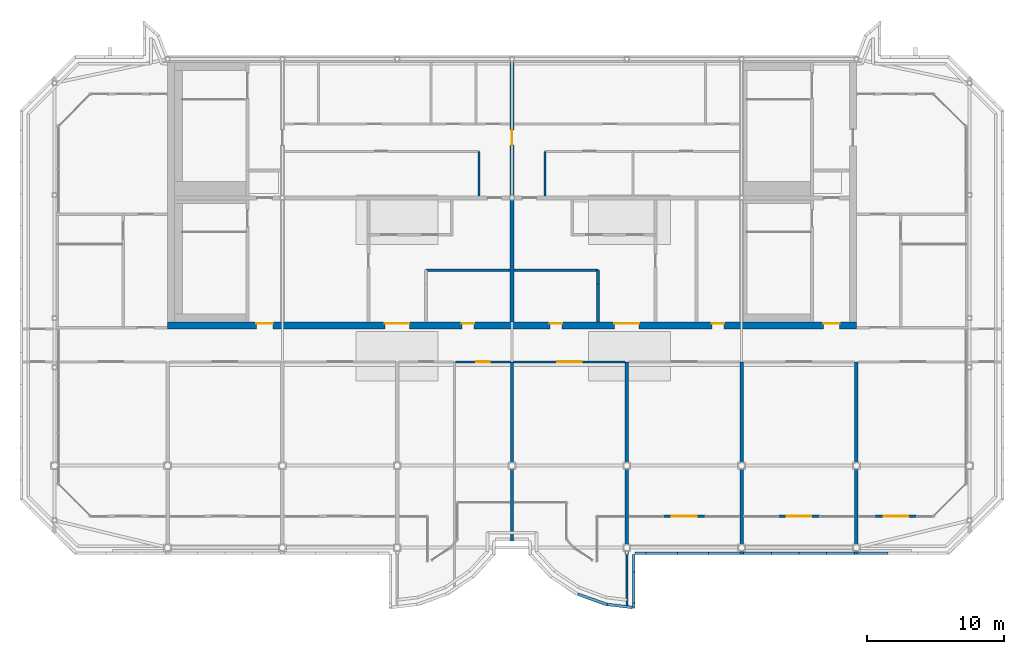
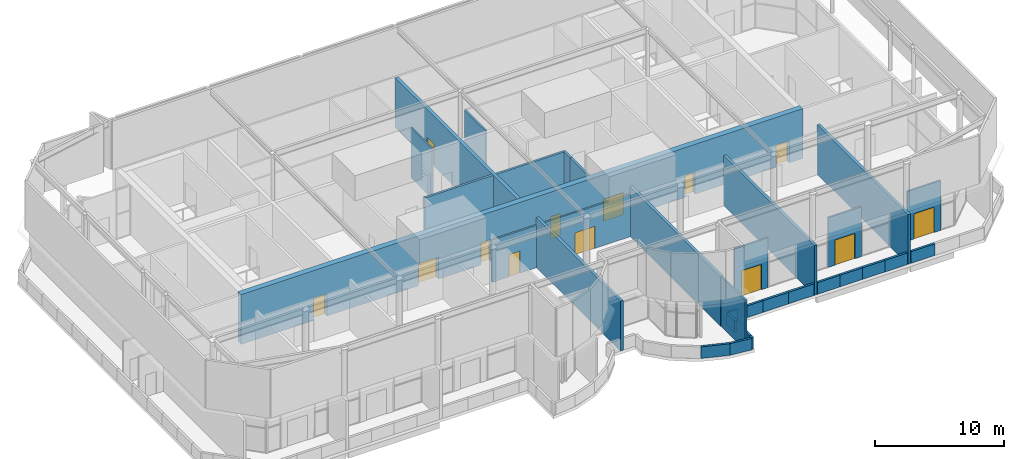
# One storey, part 20 of 25: 32 walls, 13 doors, 13 openings.
"""IFC4 building model written with IfcOpenShell, lengths in metres."""

from ifc_helpers import new_model, si_unit, direction, frame, frame_2d, origin, place, context, subcontext, project, spatial, rectangle, extrude, source, transform, mapped, material, layer, layer_set, type_object, element, fill, save


model = new_model("IFC4")

# Units and contexts
model_context = context("Model", 3, precision=1e-05, world=origin(), true_north=direction((0.0, 1.0)))
body_context = subcontext(model_context, "Body", "Model", "MODEL_VIEW")
ifc_project = project(units=[si_unit("LENGTHUNIT", "METRE"), si_unit("AREAUNIT", "SQUARE_METRE"), si_unit("VOLUMEUNIT", "CUBIC_METRE"), si_unit("PLANEANGLEUNIT", "RADIAN"), si_unit("MASSUNIT", "GRAM", prefix="KILO")], contexts=[model_context])

# Site, building, storey
site_placement = place(None, origin())
site = spatial("IfcSite", under=ifc_project, at=site_placement, CompositionType="ELEMENT")
building_placement = place(site_placement, origin())
building = spatial("IfcBuilding", under=site, at=building_placement, Name="Vanashikhar Sky Hotel", CompositionType="ELEMENT")
storey_placement = place(building_placement, frame((0.0, 0.0, 329.699951171875)))
storey = spatial("IfcBuildingStorey", under=building, at=storey_placement, Name="L78", CompositionType="ELEMENT", Elevation=329.699951171875)

# Wall, openings, doors
ifc_material_1 = material(Name="Concrete M50", Category="concrete")
ifc_layer_1 = layer(ifc_material_1, 0.5)
ifc_layer_set_1 = layer_set([ifc_layer_1], Name="RC core shell wall 500 Concrete M50")
wall_type_1 = type_object("IfcWallType", Name="RC core shell wall 500 Concrete M50", PredefinedType="SHEAR", material=ifc_layer_set_1)
shared_shape_1 = source(origin(), body_context, "Body", "SweptSolid", [
    extrude(rectangle(XDim=50.400146484375, YDim=0.5, at=frame_2d((25.2001953125, 0.0))), origin(), (0.0, 0.0, 1.0), 4.719970703125),
])
wall_1_placement = place(storey_placement, frame((25.199951171875, 22.25, 0.0), z_axis=(0.0, 0.0, 1.0), x_axis=(1.0, 0.0, 0.0)))
wall_1 = element("IfcWall", 1, at=wall_1_placement, inside=storey, type_object=wall_type_1, Name="KW-L78-KS", PredefinedType="SHEAR", context=body_context, shape_type="MappedRepresentation", body=[
    mapped(shared_shape_1, transform((0.0, 0.0, 0.0), scale=1.0)),
])
shared_shape_2 = source(origin(), body_context, "Body", "SweptSolid", [
    extrude(rectangle(XDim=1.800048828125, YDim=2.10009765625, at=frame_2d((0.89990234375, 1.050048828125))), frame((0.0, 0.260009765625, 0.0), z_axis=(0.0, -1.0, 0.0), x_axis=(1.0, 0.0, 0.0)), (0.0, 0.0, 1.0), 0.52001953125),
])
opening_1_placement = place(wall_1_placement, frame((15.89990234375, 0.0, 0.0)))
opening_1 = element("IfcOpeningElement", 2, at=opening_1_placement, cuts=wall_1, Name="Opening DC-3-A", PredefinedType="OPENING", context=body_context, shape_type="MappedRepresentation", body=[
    mapped(shared_shape_2, transform((0.0, 0.0, 0.0), scale=1.0)),
])
shared_shape_3 = source(origin(), body_context, "Body", "SweptSolid", [
    extrude(rectangle(XDim=0.89990234375, YDim=2.10009765625, at=frame_2d((0.449951171875, 1.050048828125))), frame((0.0, 0.260009765625, 0.0), z_axis=(0.0, -1.0, 0.0), x_axis=(1.0, 0.0, 0.0)), (0.0, 0.0, 1.0), 0.52001953125),
])
opening_2_placement = place(wall_1_placement, frame((21.52490234375, 0.0, 0.0)))
opening_2 = element("IfcOpeningElement", 3, at=opening_2_placement, cuts=wall_1, Name="Opening DC-4-A", PredefinedType="OPENING", context=body_context, shape_type="MappedRepresentation", body=[
    mapped(shared_shape_3, transform((0.0, 0.0, 0.0), scale=1.0)),
])
opening_3_placement = place(wall_1_placement, frame((32.699951171875, 0.0, 0.0)))
opening_3 = element("IfcOpeningElement", 4, at=opening_3_placement, cuts=wall_1, Name="Opening DC-3-A", PredefinedType="OPENING", context=body_context, shape_type="MappedRepresentation", body=[
    mapped(shared_shape_2, transform((0.0, 0.0, 0.0), scale=1.0)),
])
opening_4_placement = place(wall_1_placement, frame((39.824951171875, 0.0, 0.0)))
opening_4 = element("IfcOpeningElement", 5, at=opening_4_placement, cuts=wall_1, Name="Opening DC-4-A", PredefinedType="OPENING", context=body_context, shape_type="MappedRepresentation", body=[
    mapped(shared_shape_3, transform((0.0, 0.0, 0.0), scale=1.0)),
])
opening_5_placement = place(wall_1_placement, frame((27.97509765625, 0.0, 0.0)))
opening_5 = element("IfcOpeningElement", 6, at=opening_5_placement, cuts=wall_1, Name="Opening DC-4-A", PredefinedType="OPENING", context=body_context, shape_type="MappedRepresentation", body=[
    mapped(shared_shape_3, transform((0.0, 0.0, 0.0), scale=1.0)),
])
shared_shape_4 = source(origin(), body_context, "Body", "SweptSolid", [
    extrude(rectangle(XDim=1.199951171875, YDim=2.10009765625, at=frame_2d((0.60009765625, 1.050048828125))), frame((0.0, 0.260009765625, 0.0), z_axis=(0.0, -1.0, 0.0), x_axis=(1.0, 0.0, 0.0)), (0.0, 0.0, 1.0), 0.52001953125),
])
opening_6_placement = place(wall_1_placement, frame((6.5, 0.0, 0.0)))
opening_6 = element("IfcOpeningElement", 7, at=opening_6_placement, cuts=wall_1, Name="Opening DC-2", PredefinedType="OPENING", context=body_context, shape_type="MappedRepresentation", body=[
    mapped(shared_shape_4, transform((0.0, 0.0, 0.0), scale=1.0)),
])
opening_7_placement = place(wall_1_placement, frame((47.97509765625, 0.0, 0.0)))
opening_7 = element("IfcOpeningElement", 8, at=opening_7_placement, cuts=wall_1, Name="Opening DC-2", PredefinedType="OPENING", context=body_context, shape_type="MappedRepresentation", body=[
    mapped(shared_shape_4, transform((0.0, 0.0, 0.0), scale=1.0)),
])
ifc_material_2 = material(Name="Steel", Category="steel")
door_type_1 = type_object("IfcDoorType", Name="Firefighting lobby door 1200 FD120", OperationType="NOTDEFINED", PredefinedType="DOOR", material=ifc_material_2)
shared_shape_5 = source(origin(), body_context, "Body", "SweptSolid", [
    extrude(rectangle(XDim=1.199951171875, YDim=2.10009765625, at=frame_2d((0.60009765625, 1.050048828125))), frame((0.0, 0.1748046875, 0.0), z_axis=(0.0, -1.0, 0.0), x_axis=(1.0, 0.0, 0.0)), (0.0, 0.0, 1.0), 0.050048828125),
])
door_1_placement = place(opening_6_placement, origin())
door_1 = element("IfcDoor", 9, at=door_1_placement, inside=storey, type_object=door_type_1, Name="Firefighting lobby door 1200 FD120", OperationType="SINGLE_SWING_LEFT", OverallHeight=2.10009765625, OverallWidth=1.199951171875, PredefinedType="DOOR", context=body_context, shape_type="MappedRepresentation", body=[
    mapped(shared_shape_5, transform((0.0, 0.0, 0.0), scale=1.0)),
])
fill(opening_6, door_1)
door_2_placement = place(opening_7_placement, origin())
door_2 = element("IfcDoor", 10, at=door_2_placement, inside=storey, type_object=door_type_1, Name="Firefighting lobby door 1200 FD120", OperationType="SINGLE_SWING_RIGHT", OverallHeight=2.10009765625, OverallWidth=1.199951171875, PredefinedType="DOOR", context=body_context, shape_type="MappedRepresentation", body=[
    mapped(shared_shape_5, transform((0.0, 0.0, 0.0), scale=1.0)),
])
fill(opening_7, door_2)
door_type_2 = type_object("IfcDoorType", Name="Service door 900 FD60", OperationType="NOTDEFINED", PredefinedType="DOOR", material=ifc_material_2)
shared_shape_6 = source(origin(), body_context, "Body", "SweptSolid", [
    extrude(rectangle(XDim=0.89990234375, YDim=2.10009765625, at=frame_2d((0.449951171875, 1.050048828125))), frame((0.0, 0.1748046875, 0.0), z_axis=(0.0, -1.0, 0.0), x_axis=(1.0, 0.0, 0.0)), (0.0, 0.0, 1.0), 0.050048828125),
])
door_3_placement = place(opening_2_placement, origin())
door_3 = element("IfcDoor", 11, at=door_3_placement, inside=storey, type_object=door_type_2, Name="Service door 900 FD60", OperationType="SINGLE_SWING_RIGHT", OverallHeight=2.10009765625, OverallWidth=0.89990234375, PredefinedType="DOOR", context=body_context, shape_type="MappedRepresentation", body=[
    mapped(shared_shape_6, transform((0.0, 0.0, 0.0), scale=1.0)),
])
fill(opening_2, door_3)
door_4_placement = place(opening_4_placement, origin())
door_4 = element("IfcDoor", 12, at=door_4_placement, inside=storey, type_object=door_type_2, Name="Service door 900 FD60", OperationType="SINGLE_SWING_LEFT", OverallHeight=2.10009765625, OverallWidth=0.89990234375, PredefinedType="DOOR", context=body_context, shape_type="MappedRepresentation", body=[
    mapped(shared_shape_6, transform((0.0, 0.0, 0.0), scale=1.0)),
])
fill(opening_4, door_4)
door_5_placement = place(opening_5_placement, origin())
door_5 = element("IfcDoor", 13, at=door_5_placement, inside=storey, type_object=door_type_2, Name="Service door 900 FD60", OperationType="SINGLE_SWING_RIGHT", OverallHeight=2.10009765625, OverallWidth=0.89990234375, PredefinedType="DOOR", context=body_context, shape_type="MappedRepresentation", body=[
    mapped(shared_shape_6, transform((0.0, 0.0, 0.0), scale=1.0)),
])
fill(opening_5, door_5)
ifc_material_3 = material(Name="Glass", Category="glass")
door_type_3 = type_object("IfcDoorType", Name="Lift lobby entrance door 1800 FD30S", OperationType="NOTDEFINED", PredefinedType="DOOR", material=ifc_material_3)
shared_shape_7 = source(origin(), body_context, "Body", "SweptSolid", [
    extrude(rectangle(XDim=1.800048828125, YDim=2.10009765625, at=frame_2d((0.89990234375, 1.050048828125))), frame((0.0, 0.1748046875, 0.0), z_axis=(0.0, -1.0, 0.0), x_axis=(1.0, 0.0, 0.0)), (0.0, 0.0, 1.0), 0.050048828125),
])
door_6_placement = place(opening_1_placement, origin())
door_6 = element("IfcDoor", 14, at=door_6_placement, inside=storey, type_object=door_type_3, Name="Lift lobby entrance door 1800 FD30S", OperationType="DOUBLE_DOOR_SINGLE_SWING", OverallHeight=2.10009765625, OverallWidth=1.800048828125, PredefinedType="DOOR", context=body_context, shape_type="MappedRepresentation", body=[
    mapped(shared_shape_7, transform((0.0, 0.0, 0.0), scale=1.0)),
])
fill(opening_1, door_6)
door_7_placement = place(opening_3_placement, origin())
door_7 = element("IfcDoor", 15, at=door_7_placement, inside=storey, type_object=door_type_3, Name="Lift lobby entrance door 1800 FD30S", OperationType="DOUBLE_DOOR_SINGLE_SWING", OverallHeight=2.10009765625, OverallWidth=1.800048828125, PredefinedType="DOOR", context=body_context, shape_type="MappedRepresentation", body=[
    mapped(shared_shape_7, transform((0.0, 0.0, 0.0), scale=1.0)),
])
fill(opening_3, door_7)

# Wall, opening, door
ifc_layer_2 = layer(ifc_material_1, 0.300048828125)
ifc_layer_set_2 = layer_set([ifc_layer_2], Name="RC core inner wall 300 Concrete M50")
wall_type_2 = type_object("IfcWallType", Name="RC core inner wall 300 Concrete M50", PredefinedType="SHEAR", material=ifc_layer_set_2)
shared_shape_8 = source(origin(), body_context, "Body", "SweptSolid", [
    extrude(rectangle(XDim=19.0, YDim=0.300048828125, at=frame_2d((9.5, 0.0))), origin(), (0.0, 0.0, 1.0), 4.719970703125),
])
wall_2_placement = place(storey_placement, frame((50.39990234375, 22.5, 0.0), z_axis=(0.0, 0.0, 1.0), x_axis=(0.0, 1.0, 0.0)))
wall_2 = element("IfcWall", 16, at=wall_2_placement, inside=storey, type_object=wall_type_2, Name="KW-L78-KX2", PredefinedType="SHEAR", context=body_context, shape_type="MappedRepresentation", body=[
    mapped(shared_shape_8, transform((0.0, 0.0, 0.0), scale=1.0)),
])
shared_shape_9 = source(origin(), body_context, "Body", "SweptSolid", [
    extrude(rectangle(XDim=1.10009765625, YDim=2.10009765625, at=frame_2d((0.550048828125, 1.050048828125))), frame((0.0, 0.16015625, 0.0), z_axis=(0.0, -1.0, 0.0), x_axis=(1.0, 0.0, 0.0)), (0.0, 0.0, 1.0), 0.320068359375),
])
opening_8_placement = place(wall_2_placement, frame((12.949951171875, 0.0, 0.0)))
opening_8 = element("IfcOpeningElement", 17, at=opening_8_placement, cuts=wall_2, Name="Opening DC-4-C", PredefinedType="OPENING", context=body_context, shape_type="MappedRepresentation", body=[
    mapped(shared_shape_9, transform((0.0, 0.0, 0.0), scale=1.0)),
])
door_type_4 = type_object("IfcDoorType", Name="Service door 1100 FD60", OperationType="NOTDEFINED", PredefinedType="DOOR", material=ifc_material_2)
shared_shape_10 = source(origin(), body_context, "Body", "SweptSolid", [
    extrude(rectangle(XDim=1.10009765625, YDim=2.10009765625, at=frame_2d((0.550048828125, 1.050048828125))), frame((0.0, 0.02490234375, 0.0), z_axis=(0.0, -1.0, 0.0), x_axis=(1.0, 0.0, 0.0)), (0.0, 0.0, 1.0), 0.050048828125),
])
door_8_placement = place(opening_8_placement, origin())
door_8 = element("IfcDoor", 18, at=door_8_placement, inside=storey, type_object=door_type_4, Name="Service door 1100 FD60", OperationType="SINGLE_SWING_LEFT", OverallHeight=2.10009765625, OverallWidth=1.10009765625, PredefinedType="DOOR", context=body_context, shape_type="MappedRepresentation", body=[
    mapped(shared_shape_10, transform((0.0, 0.0, 0.0), scale=1.0)),
])
fill(opening_8, door_8)

# Walls
ifc_layer_3 = layer(ifc_material_1, 0.25)
ifc_layer_set_3 = layer_set([ifc_layer_3], Name="RC shear wall 250 Concrete M50")
wall_type_3 = type_object("IfcWallType", Name="RC shear wall 250 Concrete M50", PredefinedType="SHEAR", material=ifc_layer_set_3)
shared_shape_11 = source(origin(), body_context, "Body", "SweptSolid", [
    extrude(rectangle(XDim=14.10009765625, YDim=0.25, at=frame_2d((7.050048828125, 0.0))), origin(), (0.0, 0.0, 1.0), 4.719970703125),
])
for number, where, z_axis, x_axis, name in (
    (19, (58.800048828125, 5.5, 0.0), (0.0, 0.0, 1.0), (0.0, 1.0, 0.0), "CW-L78-XW08-1"),
    (20, (67.199951171875, 5.5, 0.0), (0.0, 0.0, 1.0), (0.0, 1.0, 0.0), "CW-L78-XW09-1"),
    (21, (75.60009765625, 5.5, 0.0), (0.0, 0.0, 1.0), (0.0, 1.0, 0.0), "CW-L78-XW10-1"),
):
    element("IfcWall", number, at=place(storey_placement, frame(where, z_axis=z_axis, x_axis=x_axis)), inside=storey, type_object=wall_type_3, Name=name, PredefinedType="SHEAR", context=body_context, shape_type="MappedRepresentation", body=[
        mapped(shared_shape_11, transform((0.0, 0.0, 0.0), scale=1.0)),
    ])
shared_shape_12 = source(origin(), body_context, "Body", "SweptSolid", [
    extrude(rectangle(XDim=13.10009765625, YDim=0.25, at=frame_2d((6.550048828125, 0.0))), origin(), (0.0, 0.0, 1.0), 4.719970703125),
])
wall_3_placement = place(storey_placement, frame((50.39990234375, 6.5, 0.0), z_axis=(0.0, 0.0, 1.0), x_axis=(0.0, 1.0, 0.0)))
element("IfcWall", 22, at=wall_3_placement, inside=storey, type_object=wall_type_3, Name="CW-L78-XW07-1", PredefinedType="SHEAR", context=body_context, shape_type="MappedRepresentation", body=[
    mapped(shared_shape_12, transform((0.0, 0.0, 0.0), scale=1.0)),
])
ifc_layer_4 = layer(ifc_material_1, 0.199951171875)
ifc_layer_set_4 = layer_set([ifc_layer_4], Name="Parapet 200")
wall_type_4 = type_object("IfcWallType", Name="Parapet 200", PredefinedType="PARAPET", material=ifc_layer_set_4)
shared_shape_13 = source(origin(), body_context, "Body", "SweptSolid", [
    extrude(rectangle(XDim=2.176513671875, YDim=0.199951171875, at=frame_2d((1.08837890625, 0.0))), origin(), (0.0, 0.0, 1.0), 1.10009765625),
])
wall_4_placement = place(storey_placement, frame((77.921630859375, 5.60009765625, 0.0), z_axis=(0.0, 0.0, 1.0), x_axis=(-1.0, 0.0, 0.0)))
element("IfcWall", 23, at=wall_4_placement, inside=storey, type_object=wall_type_4, Name="Lookout balustrade wall", PredefinedType="PARAPET", context=body_context, shape_type="MappedRepresentation", body=[
    mapped(shared_shape_13, transform((0.0, 0.0, 0.0), scale=1.0)),
])
shared_shape_14 = source(origin(), body_context, "Body", "SweptSolid", [
    extrude(rectangle(XDim=2.027587890625, YDim=0.199951171875, at=frame_2d((1.013671875, 0.0))), origin(), (0.0, 0.0, 1.0), 1.10009765625),
])
for number, where, z_axis, x_axis, name in (
    (24, (75.455078125, 5.60009765625, 0.0), (0.0, 0.0, 1.0), (-1.0, 0.0, 0.0), "Lookout balustrade wall"),
    (25, (73.427490234375, 5.60009765625, 0.0), (0.0, 0.0, 1.0), (-1.0, 0.0, 0.0), "Lookout balustrade wall"),
    (26, (69.37255859375, 5.60009765625, 0.0), (0.0, 0.0, 1.0), (-1.0, 0.0, 0.0), "Lookout balustrade wall"),
):
    element("IfcWall", number, at=place(storey_placement, frame(where, z_axis=z_axis, x_axis=x_axis)), inside=storey, type_object=wall_type_4, Name=name, PredefinedType="PARAPET", context=body_context, shape_type="MappedRepresentation", body=[
        mapped(shared_shape_14, transform((0.0, 0.0, 0.0), scale=1.0)),
    ])
shared_shape_15 = source(origin(), body_context, "Body", "SweptSolid", [
    extrude(rectangle(XDim=2.02734375, YDim=0.199951171875, at=frame_2d((1.013671875, 0.0))), origin(), (0.0, 0.0, 1.0), 1.10009765625),
])
wall_5_placement = place(storey_placement, frame((71.39990234375, 5.60009765625, 0.0), z_axis=(0.0, 0.0, 1.0), x_axis=(-1.0, 0.0, 0.0)))
element("IfcWall", 27, at=wall_5_placement, inside=storey, type_object=wall_type_4, Name="Lookout balustrade wall", PredefinedType="PARAPET", context=body_context, shape_type="MappedRepresentation", body=[
    mapped(shared_shape_15, transform((0.0, 0.0, 0.0), scale=1.0)),
])
shared_shape_16 = source(origin(), body_context, "Body", "SweptSolid", [
    extrude(rectangle(XDim=2.276611328125, YDim=0.199951171875, at=frame_2d((1.13818359375, 0.0))), origin(), (0.0, 0.0, 1.0), 1.10009765625),
])
wall_6_placement = place(storey_placement, frame((57.36572265625, 1.842529296875, 0.0), z_axis=(0.0, 0.0, 1.0), x_axis=(-0.944407068574, 0.328778479874, 0.0)))
element("IfcWall", 28, at=wall_6_placement, inside=storey, type_object=wall_type_4, Name="Lookout balustrade wall", PredefinedType="PARAPET", context=body_context, shape_type="MappedRepresentation", body=[
    mapped(shared_shape_16, transform((0.0, 0.0, 0.0), scale=1.0)),
])
shared_shape_17 = source(origin(), body_context, "Body", "SweptSolid", [
    extrude(rectangle(XDim=1.847900390625, YDim=0.199951171875, at=frame_2d((0.923828125, 0.0))), origin(), (0.0, 0.0, 1.0), 1.10009765625),
])
wall_7_placement = place(storey_placement, frame((59.20068359375, 1.62451171875, 0.0), z_axis=(0.0, 0.0, 1.0), x_axis=(-0.993015572698, 0.117983356362, 0.0)))
element("IfcWall", 29, at=wall_7_placement, inside=storey, type_object=wall_type_4, Name="Lookout balustrade wall", PredefinedType="PARAPET", context=body_context, shape_type="MappedRepresentation", body=[
    mapped(shared_shape_17, transform((0.0, 0.0, 0.0), scale=1.0)),
])
shared_shape_18 = source(origin(), body_context, "Body", "SweptSolid", [
    extrude(rectangle(XDim=0.333740234375, YDim=0.199951171875, at=frame_2d((0.1669921875, 0.0))), origin(), (0.0, 0.0, 1.0), 1.10009765625),
])
wall_8_placement = place(storey_placement, frame((59.300048828125, 1.9462890625, 0.0), z_axis=(0.0, 0.0, 1.0), x_axis=(0.0, -1.0, 0.0)))
element("IfcWall", 30, at=wall_8_placement, inside=storey, type_object=wall_type_4, Name="Lookout balustrade wall", PredefinedType="PARAPET", context=body_context, shape_type="MappedRepresentation", body=[
    mapped(shared_shape_18, transform((0.0, 0.0, 0.0), scale=1.0)),
])
shared_shape_19 = source(origin(), body_context, "Body", "SweptSolid", [
    extrude(rectangle(XDim=2.28173828125, YDim=0.199951171875, at=frame_2d((1.140869140625, 0.0))), origin(), (0.0, 0.0, 1.0), 1.10009765625),
])
for number, where, z_axis, x_axis, name in (
    (31, (67.054931640625, 5.60009765625, 0.0), (0.0, 0.0, 1.0), (-1.0, 0.0, 0.0), "Lookout balustrade wall"),
    (32, (59.300048828125, 4.22802734375, 0.0), (0.0, 0.0, 1.0), (0.0, -1.0, 0.0), "Lookout balustrade wall"),
):
    element("IfcWall", number, at=place(storey_placement, frame(where, z_axis=z_axis, x_axis=x_axis)), inside=storey, type_object=wall_type_4, Name=name, PredefinedType="PARAPET", context=body_context, shape_type="MappedRepresentation", body=[
        mapped(shared_shape_19, transform((0.0, 0.0, 0.0), scale=1.0)),
    ])
shared_shape_20 = source(origin(), body_context, "Body", "SweptSolid", [
    extrude(rectangle(XDim=1.27197265625, YDim=0.199951171875, at=frame_2d((0.635986328125, 0.0))), origin(), (0.0, 0.0, 1.0), 1.10009765625),
])
wall_9_placement = place(storey_placement, frame((59.300048828125, 5.5, 0.0), z_axis=(0.0, 0.0, 1.0), x_axis=(0.0, -1.0, 0.0)))
element("IfcWall", 33, at=wall_9_placement, inside=storey, type_object=wall_type_4, Name="Lookout balustrade wall", PredefinedType="PARAPET", context=body_context, shape_type="MappedRepresentation", body=[
    mapped(shared_shape_20, transform((0.0, 0.0, 0.0), scale=1.0)),
])
shared_shape_21 = source(origin(), body_context, "Body", "SweptSolid", [
    extrude(rectangle(XDim=0.809814453125, YDim=0.199951171875, at=frame_2d((0.40478515625, 0.0))), origin(), (0.0, 0.0, 1.0), 1.10009765625),
])
wall_10_placement = place(storey_placement, frame((60.209716796875, 5.60009765625, 0.0), z_axis=(0.0, 0.0, 1.0), x_axis=(-1.0, 0.0, 0.0)))
element("IfcWall", 34, at=wall_10_placement, inside=storey, type_object=wall_type_4, Name="Lookout balustrade wall", PredefinedType="PARAPET", context=body_context, shape_type="MappedRepresentation", body=[
    mapped(shared_shape_21, transform((0.0, 0.0, 0.0), scale=1.0)),
])
shared_shape_22 = source(origin(), body_context, "Body", "SweptSolid", [
    extrude(rectangle(XDim=2.281494140625, YDim=0.199951171875, at=frame_2d((1.140625, 0.0))), origin(), (0.0, 0.0, 1.0), 1.10009765625),
])
wall_11_placement = place(storey_placement, frame((64.773193359375, 5.60009765625, 0.0), z_axis=(0.0, 0.0, 1.0), x_axis=(-1.0, 0.0, 0.0)))
element("IfcWall", 35, at=wall_11_placement, inside=storey, type_object=wall_type_4, Name="Lookout balustrade wall", PredefinedType="PARAPET", context=body_context, shape_type="MappedRepresentation", body=[
    mapped(shared_shape_22, transform((0.0, 0.0, 0.0), scale=1.0)),
])
shared_shape_23 = source(origin(), body_context, "Body", "SweptSolid", [
    extrude(rectangle(XDim=2.281982421875, YDim=0.199951171875, at=frame_2d((1.14111328125, 0.0))), origin(), (0.0, 0.0, 1.0), 1.10009765625),
])
wall_12_placement = place(storey_placement, frame((62.49169921875, 5.60009765625, 0.0), z_axis=(0.0, 0.0, 1.0), x_axis=(-1.0, 0.0, 0.0)))
element("IfcWall", 36, at=wall_12_placement, inside=storey, type_object=wall_type_4, Name="Lookout balustrade wall", PredefinedType="PARAPET", context=body_context, shape_type="MappedRepresentation", body=[
    mapped(shared_shape_23, transform((0.0, 0.0, 0.0), scale=1.0)),
])

# Wall, opening, door
ifc_material_4 = material(Name="Aluminium", Category="aluminium")
ifc_layer_5 = layer(ifc_material_4, 0.14990234375)
ifc_layer_set_5 = layer_set([ifc_layer_5], Name="Aluminium framed infill wall 150")
wall_type_5 = type_object("IfcWallType", Name="Aluminium framed infill wall 150", PredefinedType="SOLIDWALL", material=ifc_layer_set_5)
shared_shape_24 = source(origin(), body_context, "Body", "SweptSolid", [
    extrude(rectangle(XDim=3.0, YDim=0.14990234375, at=frame_2d((1.5, 0.0))), origin(), (0.0, 0.0, 1.0), 4.719970703125),
])
wall_13_placement = place(storey_placement, frame((61.5, 8.300048828125, 0.0), z_axis=(0.0, 0.0, 1.0), x_axis=(1.0, 0.0, 0.0)))
wall_13 = element("IfcWall", 37, at=wall_13_placement, inside=storey, type_object=wall_type_5, Name="Lounge door wall", PredefinedType="SOLIDWALL", context=body_context, shape_type="MappedRepresentation", body=[
    mapped(shared_shape_24, transform((0.0, 0.0, 0.0), scale=1.0)),
])
shared_shape_25 = source(origin(), body_context, "Body", "SweptSolid", [
    extrude(rectangle(XDim=1.800048828125, YDim=2.39990234375, at=frame_2d((0.89990234375, 1.199951171875))), frame((0.0, 0.0849609375, 0.0), z_axis=(0.0, -1.0, 0.0), x_axis=(1.0, 0.0, 0.0)), (0.0, 0.0, 1.0), 0.169921875),
])
opening_9_placement = place(wall_13_placement, frame((0.60009765625, 0.0, 0.0)))
opening_9 = element("IfcOpeningElement", 38, at=opening_9_placement, cuts=wall_13, Name="Opening LD-04", PredefinedType="OPENING", context=body_context, shape_type="MappedRepresentation", body=[
    mapped(shared_shape_25, transform((0.0, 0.0, 0.0), scale=1.0)),
])
door_type_5 = type_object("IfcDoorType", Name="Lookout sliding door 1800 x 2400", OperationType="NOTDEFINED", PredefinedType="DOOR", material=ifc_material_4)
shared_shape_26 = source(origin(), body_context, "Body", "SweptSolid", [
    extrude(rectangle(XDim=1.800048828125, YDim=2.39990234375, at=frame_2d((0.89990234375, 1.199951171875))), frame((0.0, 0.02490234375, 0.0), z_axis=(0.0, -1.0, 0.0), x_axis=(1.0, 0.0, 0.0)), (0.0, 0.0, 1.0), 0.050048828125),
])
door_9_placement = place(opening_9_placement, origin())
door_9 = element("IfcDoor", 39, at=door_9_placement, inside=storey, type_object=door_type_5, Name="Lookout sliding door", OperationType="SLIDING_TO_RIGHT", OverallHeight=2.39990234375, OverallWidth=1.800048828125, PredefinedType="DOOR", context=body_context, shape_type="MappedRepresentation", body=[
    mapped(shared_shape_26, transform((0.0, 0.0, 0.0), scale=1.0)),
])
fill(opening_9, door_9)

wall_14_placement = place(storey_placement, frame((69.89990234375, 8.300048828125, 0.0), z_axis=(0.0, 0.0, 1.0), x_axis=(1.0, 0.0, 0.0)))
wall_14 = element("IfcWall", 40, at=wall_14_placement, inside=storey, type_object=wall_type_5, Name="Lounge door wall", PredefinedType="SOLIDWALL", context=body_context, shape_type="MappedRepresentation", body=[
    mapped(shared_shape_24, transform((0.0, 0.0, 0.0), scale=1.0)),
])
opening_10_placement = place(wall_14_placement, frame((0.60009765625, 0.0, 0.0)))
opening_10 = element("IfcOpeningElement", 41, at=opening_10_placement, cuts=wall_14, Name="Opening LD-05", PredefinedType="OPENING", context=body_context, shape_type="MappedRepresentation", body=[
    mapped(shared_shape_25, transform((0.0, 0.0, 0.0), scale=1.0)),
])
door_10_placement = place(opening_10_placement, origin())
door_10 = element("IfcDoor", 42, at=door_10_placement, inside=storey, type_object=door_type_5, Name="Lookout sliding door", OperationType="SLIDING_TO_LEFT", OverallHeight=2.39990234375, OverallWidth=1.800048828125, PredefinedType="DOOR", context=body_context, shape_type="MappedRepresentation", body=[
    mapped(shared_shape_26, transform((0.0, 0.0, 0.0), scale=1.0)),
])
fill(opening_10, door_10)

wall_15_placement = place(storey_placement, frame((76.99267578125, 8.300048828125, 0.0), z_axis=(0.0, 0.0, 1.0), x_axis=(1.0, 0.0, 0.0)))
wall_15 = element("IfcWall", 43, at=wall_15_placement, inside=storey, type_object=wall_type_5, Name="Lounge door wall", PredefinedType="SOLIDWALL", context=body_context, shape_type="MappedRepresentation", body=[
    mapped(shared_shape_24, transform((0.0, 0.0, 0.0), scale=1.0)),
])
opening_11_placement = place(wall_15_placement, frame((0.60009765625, 0.0, 0.0)))
opening_11 = element("IfcOpeningElement", 44, at=opening_11_placement, cuts=wall_15, Name="Opening LD-06", PredefinedType="OPENING", context=body_context, shape_type="MappedRepresentation", body=[
    mapped(shared_shape_25, transform((0.0, 0.0, 0.0), scale=1.0)),
])
door_11_placement = place(opening_11_placement, origin())
door_11 = element("IfcDoor", 45, at=door_11_placement, inside=storey, type_object=door_type_5, Name="Lookout sliding door", OperationType="SLIDING_TO_RIGHT", OverallHeight=2.39990234375, OverallWidth=1.800048828125, PredefinedType="DOOR", context=body_context, shape_type="MappedRepresentation", body=[
    mapped(shared_shape_26, transform((0.0, 0.0, 0.0), scale=1.0)),
])
fill(opening_11, door_11)

# Walls
ifc_material_5 = material(Name="Gypsum board partition")
ifc_layer_6 = layer(ifc_material_5, 0.14990234375)
ifc_layer_set_6 = layer_set([ifc_layer_6], Name="Service partition 150")
wall_type_6 = type_object("IfcWallType", Name="Service partition 150", PredefinedType="PARTITIONING", material=ifc_layer_set_6)
shared_shape_27 = source(origin(), body_context, "Body", "SweptSolid", [
    extrude(rectangle(XDim=2.800048828125, YDim=0.199951171875, at=frame_2d((1.39990234375, 0.0))), origin(), (0.0, 0.0, 1.0), 4.719970703125),
])
wall_16_placement = place(storey_placement, frame((56.699951171875, 22.5, 0.0), z_axis=(0.0, 0.0, 1.0), x_axis=(0.0, 1.0, 0.0)))
element("IfcWall", 46, at=wall_16_placement, inside=storey, type_object=wall_type_6, Name="Service partition 150", PredefinedType="PARTITIONING", context=body_context, shape_type="MappedRepresentation", body=[
    mapped(shared_shape_27, transform((0.0, 0.0, 0.0), scale=1.0)),
])
shared_shape_28 = source(origin(), body_context, "Body", "SweptSolid", [
    extrude(rectangle(XDim=6.14990234375, YDim=0.199951171875, at=frame_2d((3.074951171875, 0.0))), origin(), (0.0, 0.0, 1.0), 4.719970703125),
])
for number, where, z_axis, x_axis, name in (
    (47, (44.10009765625, 26.300048828125, 0.0), (0.0, 0.0, 1.0), (1.0, 0.0, 0.0), "Service partition 150"),
    (48, (56.699951171875, 26.300048828125, 0.0), (0.0, 0.0, 1.0), (-1.0, 0.0, 0.0), "Service partition 150"),
):
    element("IfcWall", number, at=place(storey_placement, frame(where, z_axis=z_axis, x_axis=x_axis)), inside=storey, type_object=wall_type_6, Name=name, PredefinedType="PARTITIONING", context=body_context, shape_type="MappedRepresentation", body=[
        mapped(shared_shape_28, transform((0.0, 0.0, 0.0), scale=1.0)),
    ])
shared_shape_29 = source(origin(), body_context, "Body", "SweptSolid", [
    extrude(rectangle(XDim=1.0, YDim=0.199951171875, at=frame_2d((0.5, 0.0))), origin(), (0.0, 0.0, 1.0), 4.719970703125),
])
wall_17_placement = place(storey_placement, frame((56.699951171875, 25.300048828125, 0.0), z_axis=(0.0, 0.0, 1.0), x_axis=(0.0, 1.0, 0.0)))
element("IfcWall", 49, at=wall_17_placement, inside=storey, type_object=wall_type_6, Name="Service partition 150", PredefinedType="PARTITIONING", context=body_context, shape_type="MappedRepresentation", body=[
    mapped(shared_shape_29, transform((0.0, 0.0, 0.0), scale=1.0)),
])
shared_shape_30 = source(origin(), body_context, "Body", "SweptSolid", [
    extrude(rectangle(XDim=3.25, YDim=0.14990234375, at=frame_2d((1.625, 0.0))), origin(), (0.0, 0.0, 1.0), 4.719970703125),
])
for number, where, z_axis, x_axis, name in (
    (50, (48.0, 31.75, 0.0), (0.0, 0.0, 1.0), (0.0, 1.0, 0.0), "Service partition 150"),
    (51, (52.800048828125, 31.75, 0.0), (0.0, 0.0, 1.0), (0.0, 1.0, 0.0), "Service partition 150"),
):
    element("IfcWall", number, at=place(storey_placement, frame(where, z_axis=z_axis, x_axis=x_axis)), inside=storey, type_object=wall_type_6, Name=name, PredefinedType="PARTITIONING", context=body_context, shape_type="MappedRepresentation", body=[
        mapped(shared_shape_30, transform((0.0, 0.0, 0.0), scale=1.0)),
    ])

# Wall, opening, door
ifc_material_6 = material(Name="Gypsum plasterboard partition")
ifc_layer_7 = layer(ifc_material_6, 0.14990234375)
ifc_layer_set_7 = layer_set([ifc_layer_7], Name="Corridor and demising partition 150")
wall_type_7 = type_object("IfcWallType", Name="Corridor and demising partition 150", PredefinedType="PARTITIONING", material=ifc_layer_set_7)
shared_shape_31 = source(origin(), body_context, "Body", "SweptSolid", [
    extrude(rectangle(XDim=8.150146484375, YDim=0.14990234375, at=frame_2d((4.0751953125, 0.0))), origin(), (0.0, 0.0, 1.0), 4.02001953125),
])
wall_18_placement = place(storey_placement, frame((50.52490234375, 19.60009765625, 0.0), z_axis=(0.0, 0.0, 1.0), x_axis=(1.0, 0.0, 0.0)))
wall_18 = element("IfcWall", 52, at=wall_18_placement, inside=storey, type_object=wall_type_7, Name="W-L78-PW007", PredefinedType="PARTITIONING", context=body_context, shape_type="MappedRepresentation", body=[
    mapped(shared_shape_31, transform((0.0, 0.0, 0.0), scale=1.0)),
])
shared_shape_32 = source(origin(), body_context, "Body", "SweptSolid", [
    extrude(rectangle(XDim=1.800048828125, YDim=2.10009765625, at=frame_2d((0.89990234375, 1.050048828125))), frame((0.0, 0.0849609375, 0.0), z_axis=(0.0, -1.0, 0.0), x_axis=(1.0, 0.0, 0.0)), (0.0, 0.0, 1.0), 0.169921875),
])
opening_12_placement = place(wall_18_placement, frame((3.175048828125, 0.0, 0.0)))
opening_12 = element("IfcOpeningElement", 53, at=opening_12_placement, cuts=wall_18, Name="Opening D-03", PredefinedType="OPENING", context=body_context, shape_type="MappedRepresentation", body=[
    mapped(shared_shape_32, transform((0.0, 0.0, 0.0), scale=1.0)),
])
ifc_material_7 = material(Name="Timber fire door", Category="wood")
door_type_6 = type_object("IfcDoorType", Name="Double leaf door 1800 FD30S", OperationType="NOTDEFINED", PredefinedType="DOOR", material=ifc_material_7)
shared_shape_33 = source(origin(), body_context, "Body", "SweptSolid", [
    extrude(rectangle(XDim=1.800048828125, YDim=2.10009765625, at=frame_2d((0.89990234375, 1.050048828125))), frame((0.0, 0.02490234375, 0.0), z_axis=(0.0, -1.0, 0.0), x_axis=(1.0, 0.0, 0.0)), (0.0, 0.0, 1.0), 0.050048828125),
])
door_12_placement = place(opening_12_placement, origin())
door_12 = element("IfcDoor", 54, at=door_12_placement, inside=storey, type_object=door_type_6, Name="D-L78-006", OperationType="DOUBLE_DOOR_SINGLE_SWING", OverallHeight=2.10009765625, OverallWidth=1.800048828125, PredefinedType="DOOR", context=body_context, shape_type="MappedRepresentation", body=[
    mapped(shared_shape_33, transform((0.0, 0.0, 0.0), scale=1.0)),
])
fill(opening_12, door_12)

shared_shape_34 = source(origin(), body_context, "Body", "SweptSolid", [
    extrude(rectangle(XDim=4.0, YDim=0.14990234375, at=frame_2d((2.0, 0.0))), origin(), (0.0, 0.0, 1.0), 4.02001953125),
])
wall_19_placement = place(storey_placement, frame((46.27490234375, 19.60009765625, 0.0), z_axis=(0.0, 0.0, 1.0), x_axis=(1.0, 0.0, 0.0)))
wall_19 = element("IfcWall", 55, at=wall_19_placement, inside=storey, type_object=wall_type_7, Name="W-L78-PW005", PredefinedType="PARTITIONING", context=body_context, shape_type="MappedRepresentation", body=[
    mapped(shared_shape_34, transform((0.0, 0.0, 0.0), scale=1.0)),
])
shared_shape_35 = source(origin(), body_context, "Body", "SweptSolid", [
    extrude(rectangle(XDim=1.0, YDim=2.10009765625, at=frame_2d((0.5, 1.050048828125))), frame((0.0, 0.0849609375, 0.0), z_axis=(0.0, -1.0, 0.0), x_axis=(1.0, 0.0, 0.0)), (0.0, 0.0, 1.0), 0.169921875),
])
opening_13_placement = place(wall_19_placement, frame((1.5, 0.0, 0.0)))
opening_13 = element("IfcOpeningElement", 56, at=opening_13_placement, cuts=wall_19, Name="Opening D-01", PredefinedType="OPENING", context=body_context, shape_type="MappedRepresentation", body=[
    mapped(shared_shape_35, transform((0.0, 0.0, 0.0), scale=1.0)),
])
door_type_7 = type_object("IfcDoorType", Name="Guest entry door 1000 FD30S", OperationType="NOTDEFINED", PredefinedType="DOOR", material=ifc_material_7)
shared_shape_36 = source(origin(), body_context, "Body", "SweptSolid", [
    extrude(rectangle(XDim=1.0, YDim=2.10009765625, at=frame_2d((0.5, 1.050048828125))), frame((0.0, 0.02490234375, 0.0), z_axis=(0.0, -1.0, 0.0), x_axis=(1.0, 0.0, 0.0)), (0.0, 0.0, 1.0), 0.050048828125),
])
door_13_placement = place(opening_13_placement, origin())
door_13 = element("IfcDoor", 57, at=door_13_placement, inside=storey, type_object=door_type_7, Name="D-L78-005", OperationType="SINGLE_SWING_RIGHT", OverallHeight=2.10009765625, OverallWidth=1.0, PredefinedType="DOOR", context=body_context, shape_type="MappedRepresentation", body=[
    mapped(shared_shape_36, transform((0.0, 0.0, 0.0), scale=1.0)),
])
fill(opening_13, door_13)

# Wall
shared_shape_37 = source(origin(), body_context, "Body", "SweptSolid", [
    extrude(rectangle(XDim=3.72705078125, YDim=0.14990234375, at=frame_2d((1.863525390625, 0.0))), origin(), (0.0, 0.0, 1.0), 4.719970703125),
])
wall_20_placement = place(storey_placement, frame((58.800048828125, 1.77294921875, 0.0), z_axis=(0.0, 0.0, 1.0), x_axis=(0.0, 1.0, 0.0)))
element("IfcWall", 58, at=wall_20_placement, inside=storey, type_object=wall_type_7, Name="W-L78-PW012", PredefinedType="PARTITIONING", context=body_context, shape_type="MappedRepresentation", body=[
    mapped(shared_shape_37, transform((0.0, 0.0, 0.0), scale=1.0)),
])

save(model, "model.ifc")
